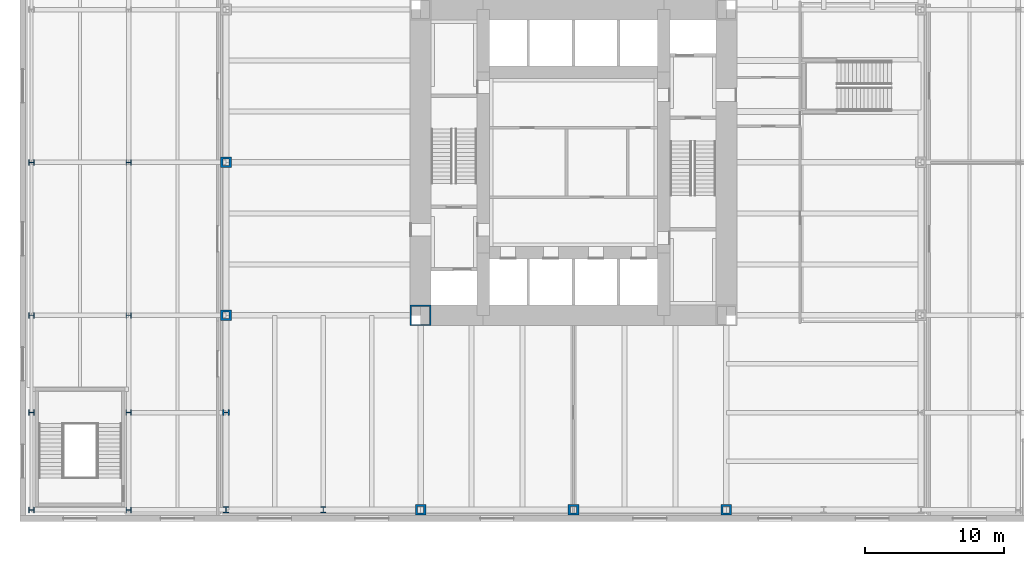
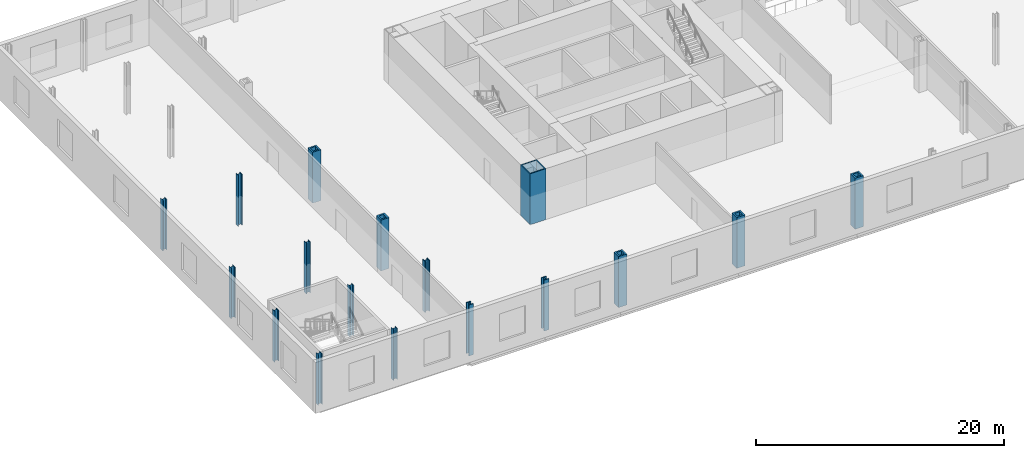
# One storey, part 1 of 13: 17 columns.
"""IFC4 building model written with IfcOpenShell, lengths in metres."""

from ifc_helpers import new_model, si_unit, direction, frame, origin, origin_2d, place, context, subcontext, project, spatial, hollow_rectangle, i_section, extrude, material, material_profile, profile_set, type_object, element, save


model = new_model("IFC4")

# Units and contexts
model_context = context("Model", 3, precision=1e-05, world=origin(), true_north=direction((0.0, 1.0)))
body_context = subcontext(model_context, "Body", "Model", "MODEL_VIEW")
ifc_project = project(units=[si_unit("LENGTHUNIT", "METRE"), si_unit("AREAUNIT", "SQUARE_METRE"), si_unit("VOLUMEUNIT", "CUBIC_METRE"), si_unit("PLANEANGLEUNIT", "RADIAN"), si_unit("MASSUNIT", "GRAM", prefix="KILO")], contexts=[model_context])

# Site, building, storey
site_placement = place(None, origin())
site = spatial("IfcSite", under=ifc_project, at=site_placement, CompositionType="ELEMENT")
building_placement = place(site_placement, origin())
building = spatial("IfcBuilding", under=site, at=building_placement, Name="Trevanion Tower", CompositionType="ELEMENT")
storey_placement = place(building_placement, frame((0.0, 0.0, 6.0)))
storey = spatial("IfcBuildingStorey", under=building, at=storey_placement, Name="L01", CompositionType="ELEMENT", Elevation=6.0)

# Columns
ifc_material_1 = material(Name="Steel ASTM A588 Grade 50", Category="steel")
ifc_material_profile_1 = material_profile(ifc_material_1, hollow_rectangle(XDim=0.761962890625, YDim=0.761962890625, WallThickness=0.15234375, at=origin_2d()), Name="BOX30X30X6")
ifc_profile_set_1 = profile_set([ifc_material_profile_1], Name="Steel ASTM A588 Grade 50")
column_type_1 = type_object("IfcColumnType", Name="C1 BOX30X30X6", PredefinedType="COLUMN", material=ifc_profile_set_1)
for number, where, z_axis, x_axis, name in (
    (1, (-25.0, 0.0, 0.0), (0.0, 0.0, 1.0), (0.0, 1.0, 0.0), "C1 3/H L01"),
    (2, (-25.0, -11.0, 0.0), (0.0, 0.0, 1.0), (0.0, 1.0, 0.0), "C1 3/F L01"),
    (3, (-11.0, -25.0, 0.0), (0.0, 0.0, 1.0), (1.0, 0.0, 0.0), "C1 8/A L01"),
    (4, (0.0, -25.0, 0.0), (0.0, 0.0, 1.0), (1.0, 0.0, 0.0), "C1 10/A L01"),
    (5, (11.0, -25.0, 0.0), (0.0, 0.0, 1.0), (1.0, 0.0, 0.0), "C1 12/A L01"),
):
    element("IfcColumn", number, at=place(storey_placement, frame(where, z_axis=z_axis, x_axis=x_axis)), inside=storey, type_object=column_type_1, Name=name, PredefinedType="COLUMN", context=body_context, shape_type="SweptSolid", body=[
        extrude(hollow_rectangle(XDim=0.761962890625, YDim=0.761962890625, WallThickness=0.15234375, at=origin_2d()), origin(), (0.0, 0.0, 1.0), 5.0),
    ])
ifc_material_2 = material(Name="Steel ASTM A913 Grade 65", Category="steel")
ifc_material_profile_2 = material_profile(ifc_material_2, i_section(OverallWidth=0.4267578125, OverallDepth=0.482666015625, WebThickness=0.05126953125, FlangeThickness=0.08154296875, at=origin_2d()), Name="W14X455")
ifc_profile_set_2 = profile_set([ifc_material_profile_2], Name="Steel ASTM A913 Grade 65")
column_type_2 = type_object("IfcColumnType", Name="C2 W14X455", PredefinedType="COLUMN", material=ifc_profile_set_2)
for number, where, z_axis, x_axis, name in (
    (6, (-25.0, -18.0, 0.0), (0.0, 0.0, 1.0), (0.0, 1.0, 0.0), "C2 3/D L01"),
    (7, (-25.0, -25.0, 0.0), (0.0, 0.0, 1.0), (1.0, 0.0, 0.0), "C2 3/A L01"),
    (8, (-18.0, -25.0, 0.0), (0.0, 0.0, 1.0), (1.0, 0.0, 0.0), "C2 6/A L01"),
):
    element("IfcColumn", number, at=place(storey_placement, frame(where, z_axis=z_axis, x_axis=x_axis)), inside=storey, type_object=column_type_2, Name=name, PredefinedType="COLUMN", context=body_context, shape_type="SweptSolid", body=[
        extrude(i_section(OverallWidth=0.4267578125, OverallDepth=0.482666015625, WebThickness=0.05126953125, FlangeThickness=0.08154296875, at=origin_2d()), origin(), (0.0, 0.0, 1.0), 5.0),
    ])
ifc_material_3 = material(Name="Steel ASTM A913 Grade 65", Category="steel")
ifc_material_profile_3 = material_profile(ifc_material_3, i_section(OverallWidth=0.393798828125, OverallDepth=0.3759765625, WebThickness=0.017333984375, FlangeThickness=0.027587890625, at=origin_2d()), Name="W14X145")
ifc_profile_set_3 = profile_set([ifc_material_profile_3], Name="Steel ASTM A913 Grade 65")
column_type_3 = type_object("IfcColumnType", Name="C3 W14X145", PredefinedType="COLUMN", material=ifc_profile_set_3)
for number, where, z_axis, x_axis, name in (
    (9, (-39.0, -25.0, 0.0), (0.0, 0.0, 1.0), (0.0, 1.0, 0.0), "C3 1/A L01"),
    (10, (-39.0, -18.0, 0.0), (0.0, 0.0, 1.0), (0.0, 1.0, 0.0), "C3 1/D L01"),
    (11, (-39.0, -11.0, 0.0), (0.0, 0.0, 1.0), (0.0, 1.0, 0.0), "C3 1/F L01"),
    (12, (-39.0, 0.0, 0.0), (0.0, 0.0, 1.0), (0.0, 1.0, 0.0), "C3 1/H L01"),
    (13, (-32.0, -25.0, 0.0), (0.0, 0.0, 1.0), (0.0, 1.0, 0.0), "C3 2/A L01"),
    (14, (-32.0, -18.0, 0.0), (0.0, 0.0, 1.0), (0.0, 1.0, 0.0), "C3 2/D L01"),
    (15, (-32.0, -11.0, 0.0), (0.0, 0.0, 1.0), (0.0, 1.0, 0.0), "C3 2/F L01"),
    (16, (-32.0, 0.0, 0.0), (0.0, 0.0, 1.0), (0.0, 1.0, 0.0), "C3 2/H L01"),
):
    element("IfcColumn", number, at=place(storey_placement, frame(where, z_axis=z_axis, x_axis=x_axis)), inside=storey, type_object=column_type_3, Name=name, PredefinedType="COLUMN", context=body_context, shape_type="SweptSolid", body=[
        extrude(i_section(OverallWidth=0.393798828125, OverallDepth=0.3759765625, WebThickness=0.017333984375, FlangeThickness=0.027587890625, at=origin_2d()), origin(), (0.0, 0.0, 1.0), 5.0),
    ])
ifc_material_4 = material(Name="Steel ASTM A572 Grade 50", Category="steel")
ifc_material_profile_4 = material_profile(ifc_material_4, hollow_rectangle(XDim=1.49853515625, YDim=1.49853515625, WallThickness=0.1015625, at=origin_2d()), Name="BOX59X59X4")
ifc_profile_set_4 = profile_set([ifc_material_profile_4], Name="Steel ASTM A572 Grade 50")
column_type_4 = type_object("IfcColumnType", Name="CB1 BOX59X59X4", PredefinedType="COLUMN", material=ifc_profile_set_4)
column_placement = place(storey_placement, frame((-11.0, -11.0, 0.0), z_axis=(0.0, 0.0, 1.0), x_axis=(1.0, 0.0, 0.0)))
element("IfcColumn", 17, at=column_placement, inside=storey, type_object=column_type_4, Name="CB1 SW L01", PredefinedType="COLUMN", context=body_context, shape_type="SweptSolid", body=[
    extrude(hollow_rectangle(XDim=1.49853515625, YDim=1.49853515625, WallThickness=0.1015625, at=origin_2d()), origin(), (0.0, 0.0, 1.0), 5.0),
])

save(model, "model.ifc")
